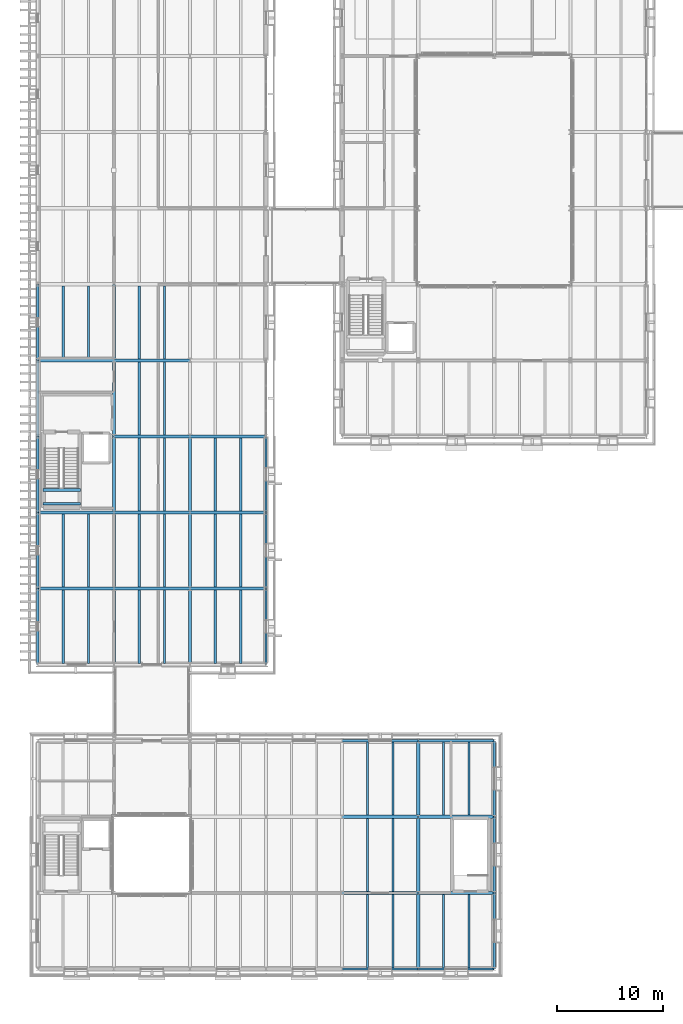
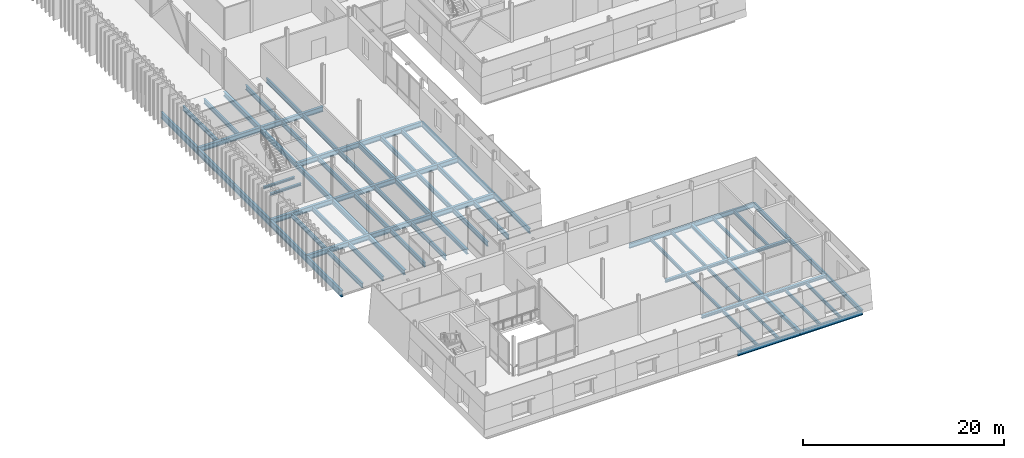
# One storey, part 24 of 121: 74 beams.
"""IFC4 building model written with IfcOpenShell, lengths in metres."""

from ifc_helpers import new_model, si_unit, direction, frame, origin, origin_2d, place, context, subcontext, project, spatial, i_section, extrude, material, material_profile, profile_set, type_object, element, save


model = new_model("IFC4")

# Units and contexts
model_context = context("Model", 3, precision=1e-05, world=origin(), true_north=direction((0.0, 1.0)))
body_context = subcontext(model_context, "Body", "Model", "MODEL_VIEW")
ifc_project = project(units=[si_unit("LENGTHUNIT", "METRE"), si_unit("AREAUNIT", "SQUARE_METRE"), si_unit("VOLUMEUNIT", "CUBIC_METRE"), si_unit("PLANEANGLEUNIT", "RADIAN"), si_unit("MASSUNIT", "GRAM", prefix="KILO")], contexts=[model_context])

# Site, building, storey
site_placement = place(None, origin())
site = spatial("IfcSite", under=ifc_project, at=site_placement, CompositionType="ELEMENT")
building_placement = place(site_placement, origin())
building = spatial("IfcBuilding", under=site, at=building_placement, Name="Narikvali Park Central Library", CompositionType="ELEMENT")
storey_placement = place(building_placement, frame((0.0, 0.0, 5.39990234375)))
storey = spatial("IfcBuildingStorey", under=building, at=storey_placement, Name="L01", CompositionType="ELEMENT", Elevation=5.39990234375)

# Beams
ifc_material = material(Name="Steel S355", Category="steel")
ifc_material_profile_1 = material_profile(ifc_material, i_section(OverallWidth=0.179931640625, OverallDepth=0.39990234375, WebThickness=0.008544921875, FlangeThickness=0.013427734375, FilletRadius=0.02099609375, at=origin_2d()), Name="IPE 400")
ifc_profile_set_1 = profile_set([ifc_material_profile_1], Name="Steel S355")
beam_type_1 = type_object("IfcBeamType", Name="Composite Floor Joist IPE400", PredefinedType="JOIST", material=ifc_profile_set_1)
for number, where, z_axis, x_axis, name in (
    (1, (31.199951171875, 0.10498046875, -0.47998046875), (0.0, 1.0, 0.0), (-1.0, 0.0, 0.0), "V2 L01 Composite Joist 1"),
    (2, (33.60009765625, 0.10498046875, -0.47998046875), (0.0, 1.0, 0.0), (-1.0, 0.0, 0.0), "V2 L01 Composite Joist 2"),
):
    element("IfcBeam", number, at=place(storey_placement, frame(where, z_axis=z_axis, x_axis=x_axis)), inside=storey, type_object=beam_type_1, Name=name, PredefinedType="JOIST", context=body_context, shape_type="SweptSolid", body=[
        extrude(i_section(OverallWidth=0.179931640625, OverallDepth=0.39990234375, WebThickness=0.008544921875, FlangeThickness=0.013427734375, FilletRadius=0.02099609375, at=origin_2d()), origin(), (0.0, 0.0, 1.0), 6.945068359375),
    ])
for number, where, z_axis, x_axis, name in (
    (3, (31.199951171875, 7.35009765625, -0.47998046875), (0.0, 1.0, 0.0), (-1.0, 0.0, 0.0), "V2 L01 Composite Joist 1"),
    (4, (33.60009765625, 7.35009765625, -0.47998046875), (0.0, 1.0, 0.0), (-1.0, 0.0, 0.0), "V2 L01 Composite Joist 2"),
):
    element("IfcBeam", number, at=place(storey_placement, frame(where, z_axis=z_axis, x_axis=x_axis)), inside=storey, type_object=beam_type_1, Name=name, PredefinedType="JOIST", context=body_context, shape_type="SweptSolid", body=[
        extrude(i_section(OverallWidth=0.179931640625, OverallDepth=0.39990234375, WebThickness=0.008544921875, FlangeThickness=0.013427734375, FilletRadius=0.02099609375, at=origin_2d()), origin(), (0.0, 0.0, 1.0), 6.89990234375),
    ])
for number, where, z_axis, x_axis, name in (
    (5, (31.199951171875, 14.550048828125, -0.47998046875), (0.0, 1.0, 0.0), (-1.0, 0.0, 0.0), "V2 L01 Composite Joist 1"),
    (6, (33.60009765625, 14.550048828125, -0.47998046875), (0.0, 1.0, 0.0), (-1.0, 0.0, 0.0), "V2 L01 Composite Joist 2"),
    (7, (38.39990234375, 0.10498046875, -0.47998046875), (0.0, 1.0, 0.0), (-1.0, 0.0, 0.0), "V2 L01 Composite Joist 1"),
    (8, (40.800048828125, 0.10498046875, -0.47998046875), (0.0, 1.0, 0.0), (-1.0, 0.0, 0.0), "V2 L01 Composite Joist 2"),
    (9, (38.39990234375, 14.550048828125, -0.47998046875), (0.0, 1.0, 0.0), (-1.0, 0.0, 0.0), "V2 L01 Composite Joist 1"),
    (10, (40.800048828125, 14.550048828125, -0.47998046875), (0.0, 1.0, 0.0), (-1.0, 0.0, 0.0), "V2 L01 Composite Joist 2"),
):
    element("IfcBeam", number, at=place(storey_placement, frame(where, z_axis=z_axis, x_axis=x_axis)), inside=storey, type_object=beam_type_1, Name=name, PredefinedType="JOIST", context=body_context, shape_type="SweptSolid", body=[
        extrude(i_section(OverallWidth=0.179931640625, OverallDepth=0.39990234375, WebThickness=0.008544921875, FlangeThickness=0.013427734375, FilletRadius=0.02099609375, at=origin_2d()), origin(), (0.0, 0.0, 1.0), 6.945068359375),
    ])
ifc_material_profile_2 = material_profile(ifc_material, i_section(OverallWidth=0.260009765625, OverallDepth=0.260009765625, WebThickness=0.010009765625, FlangeThickness=0.017578125, FilletRadius=0.02392578125, at=origin_2d()), Name="HEB 260")
ifc_profile_set_2 = profile_set([ifc_material_profile_2], Name="Steel S355")
beam_type_2 = type_object("IfcBeamType", Name="Core Trimmer Girder HEB260", PredefinedType="BEAM", material=ifc_profile_set_2)
for number, where, z_axis, x_axis, name in (
    (11, (0.469970703125, 44.02001953125, 2.070068359375), (1.0, 0.0, 0.0), (0.0, 1.0, 0.0), "ST-09 L01 Landing Trimmer Beam 1-1"),
    (12, (0.469970703125, 45.324951171875, 2.070068359375), (1.0, 0.0, 0.0), (0.0, 1.0, 0.0), "ST-09 L01 Landing Trimmer Beam 1-2"),
):
    element("IfcBeam", number, at=place(storey_placement, frame(where, z_axis=z_axis, x_axis=x_axis)), inside=storey, type_object=beam_type_2, Name=name, PredefinedType="BEAM", context=body_context, shape_type="SweptSolid", body=[
        extrude(i_section(OverallWidth=0.260009765625, OverallDepth=0.260009765625, WebThickness=0.010009765625, FlangeThickness=0.017578125, FilletRadius=0.02392578125, at=origin_2d()), origin(), (0.0, 0.0, 1.0), 3.56005859375),
    ])
ifc_material_profile_3 = material_profile(ifc_material, i_section(OverallWidth=0.264892578125, OverallDepth=0.7529296875, WebThickness=0.01318359375, FlangeThickness=0.01708984375, FilletRadius=0.01708984375, at=origin_2d()), Name="IPE 750x147")
ifc_profile_set_3 = profile_set([ifc_material_profile_3], Name="Steel S355")
beam_type_3 = type_object("IfcBeamType", Name="Fin Facade Spandrel IPE750", PredefinedType="SPANDREL", material=ifc_profile_set_3)
for number, where, z_axis, x_axis, name in (
    (13, (0.0, 28.80810546875, -0.676513671875), (0.0, 1.0, 0.0), (-1.0, 0.0, 0.0), "V5 L01 Girder Y"),
    (14, (0.0, 36.008056640625, -0.676513671875), (0.0, 1.0, 0.0), (-1.0, 0.0, 0.0), "V5 L01 Girder Y"),
):
    element("IfcBeam", number, at=place(storey_placement, frame(where, z_axis=z_axis, x_axis=x_axis)), inside=storey, type_object=beam_type_3, Name=name, PredefinedType="SPANDREL", context=body_context, shape_type="SweptSolid", body=[
        extrude(i_section(OverallWidth=0.264892578125, OverallDepth=0.7529296875, WebThickness=0.01318359375, FlangeThickness=0.01708984375, FilletRadius=0.01708984375, at=origin_2d()), origin(), (0.0, 0.0, 1.0), 7.183837890625),
    ])
for number, where, z_axis, x_axis, name in (
    (15, (0.0, 43.2080078125, -0.676513671875), (0.0, 1.0, 0.0), (-1.0, 0.0, 0.0), "V5 L01 Girder Y"),
    (16, (0.0, 50.407958984375, -0.676513671875), (0.0, 1.0, 0.0), (-1.0, 0.0, 0.0), "V5 L01 Girder Y"),
    (17, (0.0, 57.60791015625, -0.676513671875), (0.0, 1.0, 0.0), (-1.0, 0.0, 0.0), "V5 L01 Girder Y"),
):
    element("IfcBeam", number, at=place(storey_placement, frame(where, z_axis=z_axis, x_axis=x_axis)), inside=storey, type_object=beam_type_3, Name=name, PredefinedType="SPANDREL", context=body_context, shape_type="SweptSolid", body=[
        extrude(i_section(OverallWidth=0.264892578125, OverallDepth=0.7529296875, WebThickness=0.01318359375, FlangeThickness=0.01708984375, FilletRadius=0.01708984375, at=origin_2d()), origin(), (0.0, 0.0, 1.0), 7.18408203125),
    ])
ifc_material_profile_4 = material_profile(ifc_material, i_section(OverallWidth=0.2119140625, OverallDepth=0.555908203125, WebThickness=0.0126953125, FlangeThickness=0.020263671875, FilletRadius=0.02392578125, at=origin_2d()), Name="IPEO 550")
ifc_profile_set_4 = profile_set([ifc_material_profile_4], Name="Steel S355")
beam_type_4 = type_object("IfcBeamType", Name="Heavy Stack Joist IPEO550", PredefinedType="JOIST", material=ifc_profile_set_4)
for number, where, z_axis, x_axis, name in (
    (18, (2.39990234375, 28.909912109375, -0.577880859375), (0.0, 1.0, 0.0), (-1.0, 0.0, 0.0), "V5 L01 Composite Joist 1"),
    (19, (4.800048828125, 28.909912109375, -0.577880859375), (0.0, 1.0, 0.0), (-1.0, 0.0, 0.0), "V5 L01 Composite Joist 2"),
):
    element("IfcBeam", number, at=place(storey_placement, frame(where, z_axis=z_axis, x_axis=x_axis)), inside=storey, type_object=beam_type_4, Name=name, PredefinedType="JOIST", context=body_context, shape_type="SweptSolid", body=[
        extrude(i_section(OverallWidth=0.2119140625, OverallDepth=0.555908203125, WebThickness=0.0126953125, FlangeThickness=0.020263671875, FilletRadius=0.02392578125, at=origin_2d()), origin(), (0.0, 0.0, 1.0), 6.940185546875),
    ])
for number, where, z_axis, x_axis, name in (
    (20, (2.39990234375, 36.14990234375, -0.577880859375), (0.0, 1.0, 0.0), (-1.0, 0.0, 0.0), "V5 L01 Composite Joist 1"),
    (21, (4.800048828125, 36.14990234375, -0.577880859375), (0.0, 1.0, 0.0), (-1.0, 0.0, 0.0), "V5 L01 Composite Joist 2"),
):
    element("IfcBeam", number, at=place(storey_placement, frame(where, z_axis=z_axis, x_axis=x_axis)), inside=storey, type_object=beam_type_4, Name=name, PredefinedType="JOIST", context=body_context, shape_type="SweptSolid", body=[
        extrude(i_section(OverallWidth=0.2119140625, OverallDepth=0.555908203125, WebThickness=0.0126953125, FlangeThickness=0.020263671875, FilletRadius=0.02392578125, at=origin_2d()), origin(), (0.0, 0.0, 1.0), 6.900146484375),
    ])
for number, where, z_axis, x_axis, name in (
    (22, (2.39990234375, 57.75, -0.577880859375), (0.0, 1.0, 0.0), (-1.0, 0.0, 0.0), "V5 L01 Composite Joist 1"),
    (23, (4.800048828125, 57.75, -0.577880859375), (0.0, 1.0, 0.0), (-1.0, 0.0, 0.0), "V5 L01 Composite Joist 2"),
):
    element("IfcBeam", number, at=place(storey_placement, frame(where, z_axis=z_axis, x_axis=x_axis)), inside=storey, type_object=beam_type_4, Name=name, PredefinedType="JOIST", context=body_context, shape_type="SweptSolid", body=[
        extrude(i_section(OverallWidth=0.2119140625, OverallDepth=0.555908203125, WebThickness=0.0126953125, FlangeThickness=0.020263671875, FilletRadius=0.02392578125, at=origin_2d()), origin(), (0.0, 0.0, 1.0), 6.89990234375),
    ])
for number, where, z_axis, x_axis, name in (
    (24, (9.60009765625, 28.909912109375, -0.577880859375), (0.0, 1.0, 0.0), (-1.0, 0.0, 0.0), "V5 L01 Composite Joist 1"),
    (25, (12.0, 28.909912109375, -0.577880859375), (0.0, 1.0, 0.0), (-1.0, 0.0, 0.0), "V5 L01 Composite Joist 2"),
):
    element("IfcBeam", number, at=place(storey_placement, frame(where, z_axis=z_axis, x_axis=x_axis)), inside=storey, type_object=beam_type_4, Name=name, PredefinedType="JOIST", context=body_context, shape_type="SweptSolid", body=[
        extrude(i_section(OverallWidth=0.2119140625, OverallDepth=0.555908203125, WebThickness=0.0126953125, FlangeThickness=0.020263671875, FilletRadius=0.02392578125, at=origin_2d()), origin(), (0.0, 0.0, 1.0), 6.940185546875),
    ])
for number, where, z_axis, x_axis, name in (
    (26, (9.60009765625, 36.14990234375, -0.577880859375), (0.0, 1.0, 0.0), (-1.0, 0.0, 0.0), "V5 L01 Composite Joist 1"),
    (27, (12.0, 36.14990234375, -0.577880859375), (0.0, 1.0, 0.0), (-1.0, 0.0, 0.0), "V5 L01 Composite Joist 2"),
):
    element("IfcBeam", number, at=place(storey_placement, frame(where, z_axis=z_axis, x_axis=x_axis)), inside=storey, type_object=beam_type_4, Name=name, PredefinedType="JOIST", context=body_context, shape_type="SweptSolid", body=[
        extrude(i_section(OverallWidth=0.2119140625, OverallDepth=0.555908203125, WebThickness=0.0126953125, FlangeThickness=0.020263671875, FilletRadius=0.02392578125, at=origin_2d()), origin(), (0.0, 0.0, 1.0), 6.900146484375),
    ])
for number, where, z_axis, x_axis, name in (
    (28, (9.60009765625, 43.35009765625, -0.577880859375), (0.0, 1.0, 0.0), (-1.0, 0.0, 0.0), "V5 L01 Composite Joist 1"),
    (29, (12.0, 43.35009765625, -0.577880859375), (0.0, 1.0, 0.0), (-1.0, 0.0, 0.0), "V5 L01 Composite Joist 2"),
    (30, (9.60009765625, 50.550048828125, -0.577880859375), (0.0, 1.0, 0.0), (-1.0, 0.0, 0.0), "V5 L01 Composite Joist 1"),
    (31, (12.0, 50.550048828125, -0.577880859375), (0.0, 1.0, 0.0), (-1.0, 0.0, 0.0), "V5 L01 Composite Joist 2"),
    (32, (9.60009765625, 57.75, -0.577880859375), (0.0, 1.0, 0.0), (-1.0, 0.0, 0.0), "V5 L01 Composite Joist 1"),
    (33, (12.0, 57.75, -0.577880859375), (0.0, 1.0, 0.0), (-1.0, 0.0, 0.0), "V5 L01 Composite Joist 2"),
):
    element("IfcBeam", number, at=place(storey_placement, frame(where, z_axis=z_axis, x_axis=x_axis)), inside=storey, type_object=beam_type_4, Name=name, PredefinedType="JOIST", context=body_context, shape_type="SweptSolid", body=[
        extrude(i_section(OverallWidth=0.2119140625, OverallDepth=0.555908203125, WebThickness=0.0126953125, FlangeThickness=0.020263671875, FilletRadius=0.02392578125, at=origin_2d()), origin(), (0.0, 0.0, 1.0), 6.89990234375),
    ])
for number, where, z_axis, x_axis, name in (
    (34, (16.800048828125, 28.909912109375, -0.577880859375), (0.0, 1.0, 0.0), (-1.0, 0.0, 0.0), "V5 L01 Composite Joist 1"),
    (35, (19.199951171875, 28.909912109375, -0.577880859375), (0.0, 1.0, 0.0), (-1.0, 0.0, 0.0), "V5 L01 Composite Joist 2"),
):
    element("IfcBeam", number, at=place(storey_placement, frame(where, z_axis=z_axis, x_axis=x_axis)), inside=storey, type_object=beam_type_4, Name=name, PredefinedType="JOIST", context=body_context, shape_type="SweptSolid", body=[
        extrude(i_section(OverallWidth=0.2119140625, OverallDepth=0.555908203125, WebThickness=0.0126953125, FlangeThickness=0.020263671875, FilletRadius=0.02392578125, at=origin_2d()), origin(), (0.0, 0.0, 1.0), 6.940185546875),
    ])
for number, where, z_axis, x_axis, name in (
    (36, (16.800048828125, 36.14990234375, -0.577880859375), (0.0, 1.0, 0.0), (-1.0, 0.0, 0.0), "V5 L01 Composite Joist 1"),
    (37, (19.199951171875, 36.14990234375, -0.577880859375), (0.0, 1.0, 0.0), (-1.0, 0.0, 0.0), "V5 L01 Composite Joist 2"),
):
    element("IfcBeam", number, at=place(storey_placement, frame(where, z_axis=z_axis, x_axis=x_axis)), inside=storey, type_object=beam_type_4, Name=name, PredefinedType="JOIST", context=body_context, shape_type="SweptSolid", body=[
        extrude(i_section(OverallWidth=0.2119140625, OverallDepth=0.555908203125, WebThickness=0.0126953125, FlangeThickness=0.020263671875, FilletRadius=0.02392578125, at=origin_2d()), origin(), (0.0, 0.0, 1.0), 6.900146484375),
    ])
for number, where, z_axis, x_axis, name in (
    (38, (16.800048828125, 43.35009765625, -0.577880859375), (0.0, 1.0, 0.0), (-1.0, 0.0, 0.0), "V5 L01 Composite Joist 1"),
    (39, (19.199951171875, 43.35009765625, -0.577880859375), (0.0, 1.0, 0.0), (-1.0, 0.0, 0.0), "V5 L01 Composite Joist 2"),
):
    element("IfcBeam", number, at=place(storey_placement, frame(where, z_axis=z_axis, x_axis=x_axis)), inside=storey, type_object=beam_type_4, Name=name, PredefinedType="JOIST", context=body_context, shape_type="SweptSolid", body=[
        extrude(i_section(OverallWidth=0.2119140625, OverallDepth=0.555908203125, WebThickness=0.0126953125, FlangeThickness=0.020263671875, FilletRadius=0.02392578125, at=origin_2d()), origin(), (0.0, 0.0, 1.0), 6.89990234375),
    ])
ifc_material_profile_5 = material_profile(ifc_material, i_section(OverallWidth=0.300048828125, OverallDepth=0.340087890625, WebThickness=0.011962890625, FlangeThickness=0.021484375, FilletRadius=0.027099609375, at=origin_2d()), Name="HEB 340")
ifc_profile_set_5 = profile_set([ifc_material_profile_5], Name="Steel S355")
beam_type_5 = type_object("IfcBeamType", Name="Pavilion Interior Girder HEB340", PredefinedType="BEAM", material=ifc_profile_set_5)
for number, where, z_axis, x_axis, name in (
    (40, (28.80810546875, 7.199951171875, -0.449951171875), (1.0, 0.0, 0.0), (0.0, 1.0, 0.0), "V2 L01 Girder X"),
    (41, (36.008056640625, 7.199951171875, -0.449951171875), (1.0, 0.0, 0.0), (0.0, 1.0, 0.0), "V2 L01 Girder X"),
):
    element("IfcBeam", number, at=place(storey_placement, frame(where, z_axis=z_axis, x_axis=x_axis)), inside=storey, type_object=beam_type_5, Name=name, PredefinedType="BEAM", context=body_context, shape_type="SweptSolid", body=[
        extrude(i_section(OverallWidth=0.300048828125, OverallDepth=0.340087890625, WebThickness=0.011962890625, FlangeThickness=0.021484375, FilletRadius=0.027099609375, at=origin_2d()), origin(), (0.0, 0.0, 1.0), 7.183837890625),
    ])
ifc_material_profile_6 = material_profile(ifc_material, i_section(OverallWidth=0.2099609375, OverallDepth=0.550048828125, WebThickness=0.010986328125, FlangeThickness=0.01708984375, FilletRadius=0.02392578125, at=origin_2d()), Name="IPE 550")
ifc_profile_set_6 = profile_set([ifc_material_profile_6], Name="Steel S355")
beam_type_6 = type_object("IfcBeamType", Name="Perimeter Spandrel IPE550", PredefinedType="SPANDREL", material=ifc_profile_set_6)
for number, where, z_axis, x_axis, name in (
    (42, (28.80810546875, 0.0, -0.554931640625), (1.0, 0.0, 0.0), (0.0, 1.0, 0.0), "V2 L01 Girder X"),
    (43, (36.008056640625, 0.0, -0.554931640625), (1.0, 0.0, 0.0), (0.0, 1.0, 0.0), "V2 L01 Girder X"),
    (44, (28.80810546875, 21.60009765625, -0.554931640625), (1.0, 0.0, 0.0), (0.0, 1.0, 0.0), "V2 L01 Girder X"),
    (45, (36.008056640625, 21.60009765625, -0.554931640625), (1.0, 0.0, 0.0), (0.0, 1.0, 0.0), "V2 L01 Girder X"),
    (46, (43.199951171875, 0.008056640625, -0.554931640625), (0.0, 1.0, 0.0), (-1.0, 0.0, 0.0), "V2 L01 Girder Y"),
):
    element("IfcBeam", number, at=place(storey_placement, frame(where, z_axis=z_axis, x_axis=x_axis)), inside=storey, type_object=beam_type_6, Name=name, PredefinedType="SPANDREL", context=body_context, shape_type="SweptSolid", body=[
        extrude(i_section(OverallWidth=0.2099609375, OverallDepth=0.550048828125, WebThickness=0.010986328125, FlangeThickness=0.01708984375, FilletRadius=0.02392578125, at=origin_2d()), origin(), (0.0, 0.0, 1.0), 7.183837890625),
    ])
for number, where, z_axis, x_axis, name in (
    (47, (43.199951171875, 7.2080078125, -0.554931640625), (0.0, 1.0, 0.0), (-1.0, 0.0, 0.0), "V2 L01 Girder Y"),
    (48, (43.199951171875, 14.407958984375, -0.554931640625), (0.0, 1.0, 0.0), (-1.0, 0.0, 0.0), "V2 L01 Girder Y"),
):
    element("IfcBeam", number, at=place(storey_placement, frame(where, z_axis=z_axis, x_axis=x_axis)), inside=storey, type_object=beam_type_6, Name=name, PredefinedType="SPANDREL", context=body_context, shape_type="SweptSolid", body=[
        extrude(i_section(OverallWidth=0.2099609375, OverallDepth=0.550048828125, WebThickness=0.010986328125, FlangeThickness=0.01708984375, FilletRadius=0.02392578125, at=origin_2d()), origin(), (0.0, 0.0, 1.0), 7.18408203125),
    ])
ifc_material_profile_7 = material_profile(ifc_material, i_section(OverallWidth=0.219970703125, OverallDepth=0.60009765625, WebThickness=0.011962890625, FlangeThickness=0.01904296875, FilletRadius=0.02392578125, at=origin_2d()), Name="IPE 600")
ifc_profile_set_7 = profile_set([ifc_material_profile_7], Name="Steel S355")
beam_type_7 = type_object("IfcBeamType", Name="Perimeter Spandrel IPE600", PredefinedType="SPANDREL", material=ifc_profile_set_7)
for number, where, z_axis, x_axis, name in (
    (49, (21.60009765625, 28.80810546875, -0.599853515625), (0.0, 1.0, 0.0), (-1.0, 0.0, 0.0), "V5 L01 Girder Y"),
    (50, (21.60009765625, 36.008056640625, -0.599853515625), (0.0, 1.0, 0.0), (-1.0, 0.0, 0.0), "V5 L01 Girder Y"),
):
    element("IfcBeam", number, at=place(storey_placement, frame(where, z_axis=z_axis, x_axis=x_axis)), inside=storey, type_object=beam_type_7, Name=name, PredefinedType="SPANDREL", context=body_context, shape_type="SweptSolid", body=[
        extrude(i_section(OverallWidth=0.219970703125, OverallDepth=0.60009765625, WebThickness=0.011962890625, FlangeThickness=0.01904296875, FilletRadius=0.02392578125, at=origin_2d()), origin(), (0.0, 0.0, 1.0), 7.183837890625),
    ])
beam_1_placement = place(storey_placement, frame((21.60009765625, 43.2080078125, -0.599853515625), z_axis=(0.0, 1.0, 0.0), x_axis=(-1.0, 0.0, 0.0)))
element("IfcBeam", 51, at=beam_1_placement, inside=storey, type_object=beam_type_7, Name="V5 L01 Girder Y", PredefinedType="SPANDREL", context=body_context, shape_type="SweptSolid", body=[
    extrude(i_section(OverallWidth=0.219970703125, OverallDepth=0.60009765625, WebThickness=0.011962890625, FlangeThickness=0.01904296875, FilletRadius=0.02392578125, at=origin_2d()), origin(), (0.0, 0.0, 1.0), 7.18408203125),
])
ifc_material_profile_8 = material_profile(ifc_material, i_section(OverallWidth=0.300048828125, OverallDepth=0.330078125, WebThickness=0.009521484375, FlangeThickness=0.0166015625, FilletRadius=0.027099609375, at=origin_2d()), Name="HEA 340")
ifc_profile_set_8 = profile_set([ifc_material_profile_8], Name="Steel S355")
beam_type_8 = type_object("IfcBeamType", Name="Primary Girder HEA340", PredefinedType="BEAM", material=ifc_profile_set_8)
for number, where, z_axis, x_axis, name in (
    (52, (28.80810546875, 14.39990234375, -0.44482421875), (1.0, 0.0, 0.0), (0.0, 1.0, 0.0), "V2 L01 Girder X"),
    (53, (36.008056640625, 14.39990234375, -0.44482421875), (1.0, 0.0, 0.0), (0.0, 1.0, 0.0), "V2 L01 Girder X"),
):
    element("IfcBeam", number, at=place(storey_placement, frame(where, z_axis=z_axis, x_axis=x_axis)), inside=storey, type_object=beam_type_8, Name=name, PredefinedType="BEAM", context=body_context, shape_type="SweptSolid", body=[
        extrude(i_section(OverallWidth=0.300048828125, OverallDepth=0.330078125, WebThickness=0.009521484375, FlangeThickness=0.0166015625, FilletRadius=0.027099609375, at=origin_2d()), origin(), (0.0, 0.0, 1.0), 7.183837890625),
    ])
ifc_material_profile_9 = material_profile(ifc_material, i_section(OverallWidth=0.300048828125, OverallDepth=0.43994140625, WebThickness=0.011474609375, FlangeThickness=0.02099609375, FilletRadius=0.027099609375, at=origin_2d()), Name="HEA 450")
ifc_profile_set_9 = profile_set([ifc_material_profile_9], Name="Steel S355")
beam_type_9 = type_object("IfcBeamType", Name="Primary Girder HEA450", PredefinedType="BEAM", material=ifc_profile_set_9)
beam_2_placement = place(storey_placement, frame((36.0, 0.008056640625, -0.5), z_axis=(0.0, 1.0, 0.0), x_axis=(-1.0, 0.0, 0.0)))
element("IfcBeam", 54, at=beam_2_placement, inside=storey, type_object=beam_type_9, Name="V2 L01 Girder Y", PredefinedType="BEAM", context=body_context, shape_type="SweptSolid", body=[
    extrude(i_section(OverallWidth=0.300048828125, OverallDepth=0.43994140625, WebThickness=0.011474609375, FlangeThickness=0.02099609375, FilletRadius=0.027099609375, at=origin_2d()), origin(), (0.0, 0.0, 1.0), 7.183837890625),
])
for number, where, z_axis, x_axis, name in (
    (55, (36.0, 7.2080078125, -0.5), (0.0, 1.0, 0.0), (-1.0, 0.0, 0.0), "V2 L01 Girder Y"),
    (56, (36.0, 14.407958984375, -0.5), (0.0, 1.0, 0.0), (-1.0, 0.0, 0.0), "V2 L01 Girder Y"),
):
    element("IfcBeam", number, at=place(storey_placement, frame(where, z_axis=z_axis, x_axis=x_axis)), inside=storey, type_object=beam_type_9, Name=name, PredefinedType="BEAM", context=body_context, shape_type="SweptSolid", body=[
        extrude(i_section(OverallWidth=0.300048828125, OverallDepth=0.43994140625, WebThickness=0.011474609375, FlangeThickness=0.02099609375, FilletRadius=0.027099609375, at=origin_2d()), origin(), (0.0, 0.0, 1.0), 7.18408203125),
    ])
ifc_material_profile_10 = material_profile(ifc_material, i_section(OverallWidth=0.300048828125, OverallDepth=0.590087890625, WebThickness=0.012939453125, FlangeThickness=0.02490234375, FilletRadius=0.027099609375, at=origin_2d()), Name="HEA 600")
ifc_profile_set_10 = profile_set([ifc_material_profile_10], Name="Steel S355")
beam_type_10 = type_object("IfcBeamType", Name="Primary Girder HEA600", PredefinedType="BEAM", material=ifc_profile_set_10)
for number, where, z_axis, x_axis, name in (
    (57, (7.199951171875, 28.80810546875, -0.594970703125), (0.0, 1.0, 0.0), (-1.0, 0.0, 0.0), "V5 L01 Girder Y"),
    (58, (7.199951171875, 36.008056640625, -0.594970703125), (0.0, 1.0, 0.0), (-1.0, 0.0, 0.0), "V5 L01 Girder Y"),
):
    element("IfcBeam", number, at=place(storey_placement, frame(where, z_axis=z_axis, x_axis=x_axis)), inside=storey, type_object=beam_type_10, Name=name, PredefinedType="BEAM", context=body_context, shape_type="SweptSolid", body=[
        extrude(i_section(OverallWidth=0.300048828125, OverallDepth=0.590087890625, WebThickness=0.012939453125, FlangeThickness=0.02490234375, FilletRadius=0.027099609375, at=origin_2d()), origin(), (0.0, 0.0, 1.0), 7.183837890625),
    ])
for number, where, z_axis, x_axis, name in (
    (59, (7.199951171875, 43.2080078125, -0.594970703125), (0.0, 1.0, 0.0), (-1.0, 0.0, 0.0), "V5 L01 Girder Y"),
    (60, (7.199951171875, 50.407958984375, -0.594970703125), (0.0, 1.0, 0.0), (-1.0, 0.0, 0.0), "V5 L01 Girder Y"),
    (61, (7.199951171875, 57.60791015625, -0.594970703125), (0.0, 1.0, 0.0), (-1.0, 0.0, 0.0), "V5 L01 Girder Y"),
):
    element("IfcBeam", number, at=place(storey_placement, frame(where, z_axis=z_axis, x_axis=x_axis)), inside=storey, type_object=beam_type_10, Name=name, PredefinedType="BEAM", context=body_context, shape_type="SweptSolid", body=[
        extrude(i_section(OverallWidth=0.300048828125, OverallDepth=0.590087890625, WebThickness=0.012939453125, FlangeThickness=0.02490234375, FilletRadius=0.027099609375, at=origin_2d()), origin(), (0.0, 0.0, 1.0), 7.18408203125),
    ])
for number, where, z_axis, x_axis, name in (
    (62, (14.39990234375, 28.80810546875, -0.594970703125), (0.0, 1.0, 0.0), (-1.0, 0.0, 0.0), "V5 L01 Girder Y"),
    (63, (14.39990234375, 36.008056640625, -0.594970703125), (0.0, 1.0, 0.0), (-1.0, 0.0, 0.0), "V5 L01 Girder Y"),
):
    element("IfcBeam", number, at=place(storey_placement, frame(where, z_axis=z_axis, x_axis=x_axis)), inside=storey, type_object=beam_type_10, Name=name, PredefinedType="BEAM", context=body_context, shape_type="SweptSolid", body=[
        extrude(i_section(OverallWidth=0.300048828125, OverallDepth=0.590087890625, WebThickness=0.012939453125, FlangeThickness=0.02490234375, FilletRadius=0.027099609375, at=origin_2d()), origin(), (0.0, 0.0, 1.0), 7.183837890625),
    ])
beam_3_placement = place(storey_placement, frame((14.39990234375, 43.2080078125, -0.594970703125), z_axis=(0.0, 1.0, 0.0), x_axis=(-1.0, 0.0, 0.0)))
element("IfcBeam", 64, at=beam_3_placement, inside=storey, type_object=beam_type_10, Name="V5 L01 Girder Y", PredefinedType="BEAM", context=body_context, shape_type="SweptSolid", body=[
    extrude(i_section(OverallWidth=0.300048828125, OverallDepth=0.590087890625, WebThickness=0.012939453125, FlangeThickness=0.02490234375, FilletRadius=0.027099609375, at=origin_2d()), origin(), (0.0, 0.0, 1.0), 7.18408203125),
])
ifc_material_profile_11 = material_profile(ifc_material, i_section(OverallWidth=0.300048828125, OverallDepth=0.60009765625, WebThickness=0.015380859375, FlangeThickness=0.030029296875, FilletRadius=0.027099609375, at=origin_2d()), Name="HEB 600")
ifc_profile_set_11 = profile_set([ifc_material_profile_11], Name="Steel S355")
beam_type_11 = type_object("IfcBeamType", Name="Primary Stack Girder HEB600", PredefinedType="BEAM", material=ifc_profile_set_11)
beam_4_placement = place(storey_placement, frame((0.008056640625, 36.0, -0.599853515625), z_axis=(1.0, 0.0, 0.0), x_axis=(0.0, 1.0, 0.0)))
element("IfcBeam", 65, at=beam_4_placement, inside=storey, type_object=beam_type_11, Name="V5 L01 Girder X", PredefinedType="BEAM", context=body_context, shape_type="SweptSolid", body=[
    extrude(i_section(OverallWidth=0.300048828125, OverallDepth=0.60009765625, WebThickness=0.015380859375, FlangeThickness=0.030029296875, FilletRadius=0.027099609375, at=origin_2d()), origin(), (0.0, 0.0, 1.0), 7.183837890625),
])
for number, where, z_axis, x_axis, name in (
    (66, (7.2080078125, 36.0, -0.599853515625), (1.0, 0.0, 0.0), (0.0, 1.0, 0.0), "V5 L01 Girder X"),
    (67, (14.407958984375, 36.0, -0.599853515625), (1.0, 0.0, 0.0), (0.0, 1.0, 0.0), "V5 L01 Girder X"),
):
    element("IfcBeam", number, at=place(storey_placement, frame(where, z_axis=z_axis, x_axis=x_axis)), inside=storey, type_object=beam_type_11, Name=name, PredefinedType="BEAM", context=body_context, shape_type="SweptSolid", body=[
        extrude(i_section(OverallWidth=0.300048828125, OverallDepth=0.60009765625, WebThickness=0.015380859375, FlangeThickness=0.030029296875, FilletRadius=0.027099609375, at=origin_2d()), origin(), (0.0, 0.0, 1.0), 7.18408203125),
    ])
beam_5_placement = place(storey_placement, frame((0.008056640625, 43.199951171875, -0.599853515625), z_axis=(1.0, 0.0, 0.0), x_axis=(0.0, 1.0, 0.0)))
element("IfcBeam", 68, at=beam_5_placement, inside=storey, type_object=beam_type_11, Name="V5 L01 Girder X", PredefinedType="BEAM", context=body_context, shape_type="SweptSolid", body=[
    extrude(i_section(OverallWidth=0.300048828125, OverallDepth=0.60009765625, WebThickness=0.015380859375, FlangeThickness=0.030029296875, FilletRadius=0.027099609375, at=origin_2d()), origin(), (0.0, 0.0, 1.0), 7.183837890625),
])
for number, where, z_axis, x_axis, name in (
    (69, (7.2080078125, 43.199951171875, -0.599853515625), (1.0, 0.0, 0.0), (0.0, 1.0, 0.0), "V5 L01 Girder X"),
    (70, (14.407958984375, 43.199951171875, -0.599853515625), (1.0, 0.0, 0.0), (0.0, 1.0, 0.0), "V5 L01 Girder X"),
    (71, (7.2080078125, 50.39990234375, -0.599853515625), (1.0, 0.0, 0.0), (0.0, 1.0, 0.0), "V5 L01 Girder X"),
    (72, (14.407958984375, 50.39990234375, -0.599853515625), (1.0, 0.0, 0.0), (0.0, 1.0, 0.0), "V5 L01 Girder X"),
):
    element("IfcBeam", number, at=place(storey_placement, frame(where, z_axis=z_axis, x_axis=x_axis)), inside=storey, type_object=beam_type_11, Name=name, PredefinedType="BEAM", context=body_context, shape_type="SweptSolid", body=[
        extrude(i_section(OverallWidth=0.300048828125, OverallDepth=0.60009765625, WebThickness=0.015380859375, FlangeThickness=0.030029296875, FilletRadius=0.027099609375, at=origin_2d()), origin(), (0.0, 0.0, 1.0), 7.18408203125),
    ])
beam_6_placement = place(storey_placement, frame((0.008056640625, 57.60009765625, -0.599853515625), z_axis=(1.0, 0.0, 0.0), x_axis=(0.0, 1.0, 0.0)))
element("IfcBeam", 73, at=beam_6_placement, inside=storey, type_object=beam_type_11, Name="V5 L01 Girder X", PredefinedType="BEAM", context=body_context, shape_type="SweptSolid", body=[
    extrude(i_section(OverallWidth=0.300048828125, OverallDepth=0.60009765625, WebThickness=0.015380859375, FlangeThickness=0.030029296875, FilletRadius=0.027099609375, at=origin_2d()), origin(), (0.0, 0.0, 1.0), 7.183837890625),
])
beam_7_placement = place(storey_placement, frame((7.2080078125, 57.60009765625, -0.599853515625), z_axis=(1.0, 0.0, 0.0), x_axis=(0.0, 1.0, 0.0)))
element("IfcBeam", 74, at=beam_7_placement, inside=storey, type_object=beam_type_11, Name="V5 L01 Girder X", PredefinedType="BEAM", context=body_context, shape_type="SweptSolid", body=[
    extrude(i_section(OverallWidth=0.300048828125, OverallDepth=0.60009765625, WebThickness=0.015380859375, FlangeThickness=0.030029296875, FilletRadius=0.027099609375, at=origin_2d()), origin(), (0.0, 0.0, 1.0), 7.18408203125),
])

save(model, "model.ifc")
